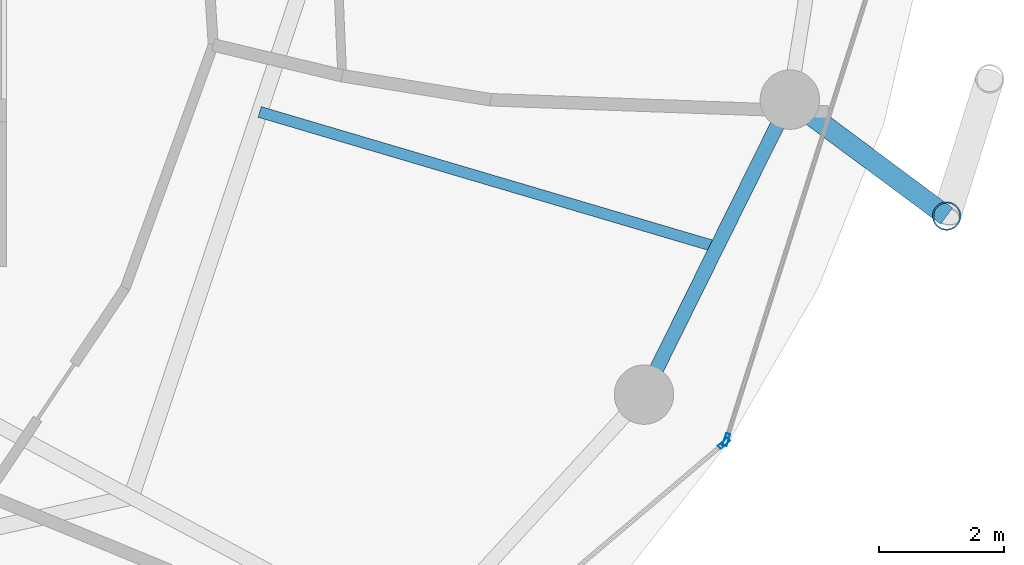
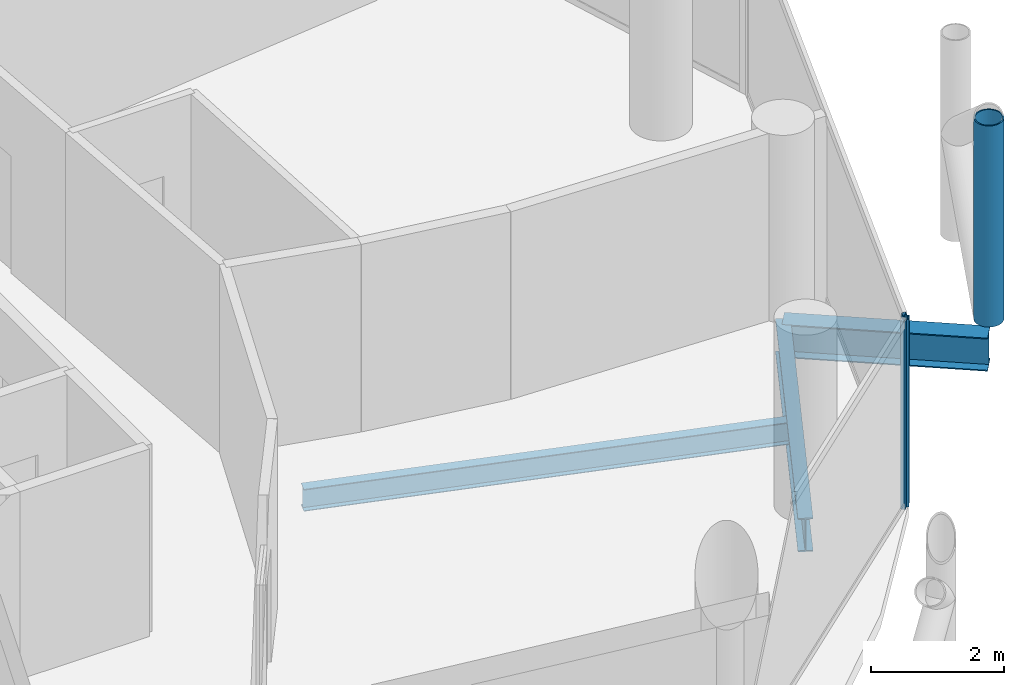
# One storey, part 10 of 26: 3 beams, 3 members, 2 elements without a shape of their own.
"""IFC4 building model written with IfcOpenShell, lengths in metres."""

from ifc_helpers import new_model, si_unit, direction, frame, origin, origin_2d, place, context, subcontext, project, spatial, hollow_rectangle, hollow_circle, i_section, extrude, material, layer, layer_set, material_profile, profile_set, type_object, element, aggregate, save


model = new_model("IFC4")

# Units and contexts
model_context = context("Model", 3, precision=1e-05, world=origin(), true_north=direction((0.0, 1.0)))
body_context = subcontext(model_context, "Body", "Model", "MODEL_VIEW")
ifc_project = project(units=[si_unit("LENGTHUNIT", "METRE"), si_unit("AREAUNIT", "SQUARE_METRE"), si_unit("VOLUMEUNIT", "CUBIC_METRE"), si_unit("PLANEANGLEUNIT", "RADIAN"), si_unit("MASSUNIT", "GRAM", prefix="KILO")], contexts=[model_context])

# Site, building, storey
site_placement = place(None, origin())
site = spatial("IfcSite", under=ifc_project, at=site_placement, CompositionType="ELEMENT")
building_placement = place(site_placement, origin())
building = spatial("IfcBuilding", under=site, at=building_placement, Name="Nuhasar Tower", CompositionType="ELEMENT")
storey_placement = place(building_placement, frame((0.0, 0.0, 121.949951171875)))
storey = spatial("IfcBuildingStorey", under=building, at=storey_placement, Name="L28", CompositionType="ELEMENT", Elevation=121.949951171875)

# Beams
ifc_material_1 = material(Name="Steel S355", Category="steel")
ifc_material_profile_1 = material_profile(ifc_material_1, i_section(OverallWidth=0.177978515625, OverallDepth=0.406005859375, WebThickness=0.0078125, FlangeThickness=0.0126953125, at=origin_2d()), Name="W16X40")
ifc_profile_set_1 = profile_set([ifc_material_profile_1], Name="Steel S355")
beam_type_1 = type_object("IfcBeamType", Name="BM-JST-W16X40", PredefinedType="JOIST", material=ifc_profile_set_1)
beam_1_placement = place(storey_placement, frame((53.0791015625, 21.54296875, -0.452880859375), z_axis=(0.959000494697, -0.283404395116, 0.0), x_axis=(0.283404395116, 0.959000494697, 0.0)))
element("IfcBeam", 1, at=beam_1_placement, inside=storey, type_object=beam_type_1, Name="L28 Secondary Floor Joist 03", PredefinedType="JOIST", context=body_context, shape_type="SweptSolid", body=[
    extrude(i_section(OverallWidth=0.177978515625, OverallDepth=0.406005859375, WebThickness=0.0078125, FlangeThickness=0.0126953125, at=origin_2d()), origin(), (0.0, 0.0, 1.0), 7.621337890625),
])
ifc_material_profile_2 = material_profile(ifc_material_1, i_section(OverallWidth=0.22998046875, OverallDepth=0.616943359375, WebThickness=0.01318359375, FlangeThickness=0.022216796875, at=origin_2d()), Name="W24X94")
ifc_profile_set_2 = profile_set([ifc_material_profile_2], Name="Steel S355")
beam_type_2 = type_object("IfcBeamType", Name="BM-RING-W24X94", PredefinedType="SPANDREL", material=ifc_profile_set_2)
beam_2_placement = place(storey_placement, frame((59.221923828125, 17.02490234375, -0.557861328125), z_axis=(0.443329327657, 0.896358804966, 0.0), x_axis=(-0.896358804966, 0.443329327657, 0.0)))
element("IfcBeam", 2, at=beam_2_placement, inside=storey, type_object=beam_type_2, Name="L28 Perimeter Ring Spandrel 23", PredefinedType="SPANDREL", context=body_context, shape_type="SweptSolid", body=[
    extrude(i_section(OverallWidth=0.22998046875, OverallDepth=0.616943359375, WebThickness=0.01318359375, FlangeThickness=0.022216796875, at=origin_2d()), origin(), (0.0, 0.0, 1.0), 5.26025390625),
])
ifc_material_profile_3 = material_profile(ifc_material_1, i_section(OverallWidth=0.323974609375, OverallDepth=0.611083984375, WebThickness=0.0126953125, FlangeThickness=0.01904296875, at=origin_2d()), Name="W24X104")
ifc_profile_set_3 = profile_set([ifc_material_profile_3], Name="Steel S355")
beam_type_3 = type_object("IfcBeamType", Name="BM-TIE-W24X104", PredefinedType="BEAM", material=ifc_profile_set_3)
beam_3_placement = place(storey_placement, frame((61.553955078125, 21.739990234375, -0.554931640625), z_axis=(0.80283476238, -0.596201597041, 0.0), x_axis=(0.596201597041, 0.80283476238, 0.0)))
element("IfcBeam", 3, at=beam_3_placement, inside=storey, type_object=beam_type_3, Name="L28 Exoskeleton Node Tie Beam 12", PredefinedType="BEAM", context=body_context, shape_type="SweptSolid", body=[
    extrude(i_section(OverallWidth=0.323974609375, OverallDepth=0.611083984375, WebThickness=0.0126953125, FlangeThickness=0.01904296875, at=origin_2d()), origin(), (0.0, 0.0, 1.0), 3.12158203125),
])

# Curtain wall, member
ifc_material_2 = material(Name="Aluminium 6063-T6", Category="aluminium")
ifc_layer = layer(ifc_material_2, 0.199951171875)
ifc_layer_set = layer_set([ifc_layer], Name="Aluminium 6063-T6")
curtain_wall_type = type_object("IfcCurtainWallType", Name="CW-Z2-HTL", PredefinedType="NOTDEFINED", material=ifc_layer_set)
curtain_wall_1_placement = place(storey_placement, origin())
curtain_wall_1 = element("IfcCurtainWall", 4, at=curtain_wall_1_placement, inside=storey, type_object=curtain_wall_type, Name="L28 Unitised Curtain Wall 11", PredefinedType="NOTDEFINED")
ifc_material_profile_4 = material_profile(ifc_material_2, hollow_rectangle(XDim=0.070068359375, YDim=0.199951171875, WallThickness=0.0048828125, at=origin_2d()), Name="CWM-3")
ifc_profile_set_4 = profile_set([ifc_material_profile_4], Name="Aluminium 6063-T6")
member_type_1 = type_object("IfcMemberType", Name="CW-MUL-S3", PredefinedType="MULLION", material=ifc_profile_set_4)
member_1_placement = place(storey_placement, frame((60.502197265625, 16.247314453125, 0.0), z_axis=(0.0, 0.0, 1.0), x_axis=(-0.646374438324, 0.763020370292, 0.0)))
member_1 = element("IfcMember", 5, at=member_1_placement, type_object=member_type_1, Name="CW-Z2 mullion 2", PredefinedType="MULLION", context=body_context, shape_type="SweptSolid", body=[
    extrude(hollow_rectangle(XDim=0.070068359375, YDim=0.199951171875, WallThickness=0.0048828125, at=origin_2d()), origin(), (0.0, 0.0, 1.0), 3.449951171875),
])
aggregate(curtain_wall_1, [member_1])

curtain_wall_2_placement = place(storey_placement, origin())
curtain_wall_2 = element("IfcCurtainWall", 6, at=curtain_wall_2_placement, inside=storey, type_object=curtain_wall_type, Name="L28 Unitised Curtain Wall 12", PredefinedType="NOTDEFINED")
member_2_placement = place(storey_placement, frame((60.53955078125, 16.303466796875, 0.0), z_axis=(0.0, 0.0, 1.0), x_axis=(-0.953433389233, 0.301603667577, 0.0)))
member_2 = element("IfcMember", 7, at=member_2_placement, type_object=member_type_1, Name="CW-Z2 mullion 1", PredefinedType="MULLION", context=body_context, shape_type="SweptSolid", body=[
    extrude(hollow_rectangle(XDim=0.070068359375, YDim=0.199951171875, WallThickness=0.0048828125, at=origin_2d()), origin(), (0.0, 0.0, 1.0), 3.449951171875),
])
aggregate(curtain_wall_2, [member_2])

# Member
ifc_material_3 = material(Name="Steel S460", Category="steel")
ifc_material_profile_5 = material_profile(ifc_material_3, hollow_circle(Radius=0.228515625, WallThickness=0.022216796875, at=origin_2d()), Name="HSS457X22.2")
ifc_profile_set_5 = profile_set([ifc_material_profile_5], Name="Steel S460")
member_type_2 = type_object("IfcMemberType", Name="EXO-BRONZE-457", PredefinedType="BRACE", material=ifc_profile_set_5)
member_3_placement = place(storey_placement, frame((64.06005859375, 19.87890625, 0.0), z_axis=(0.0, 0.0, 1.0), x_axis=(1.0, 0.0, 0.0)))
element("IfcMember", 8, at=member_3_placement, inside=storey, type_object=member_type_2, Name="L28 Exoskeleton Chord Column EC-12A", PredefinedType="BRACE", context=body_context, shape_type="SweptSolid", body=[
    extrude(hollow_circle(Radius=0.228515625, WallThickness=0.022216796875, at=origin_2d()), origin(), (0.0, 0.0, 1.0), 3.699951171875),
])

save(model, "model.ifc")
